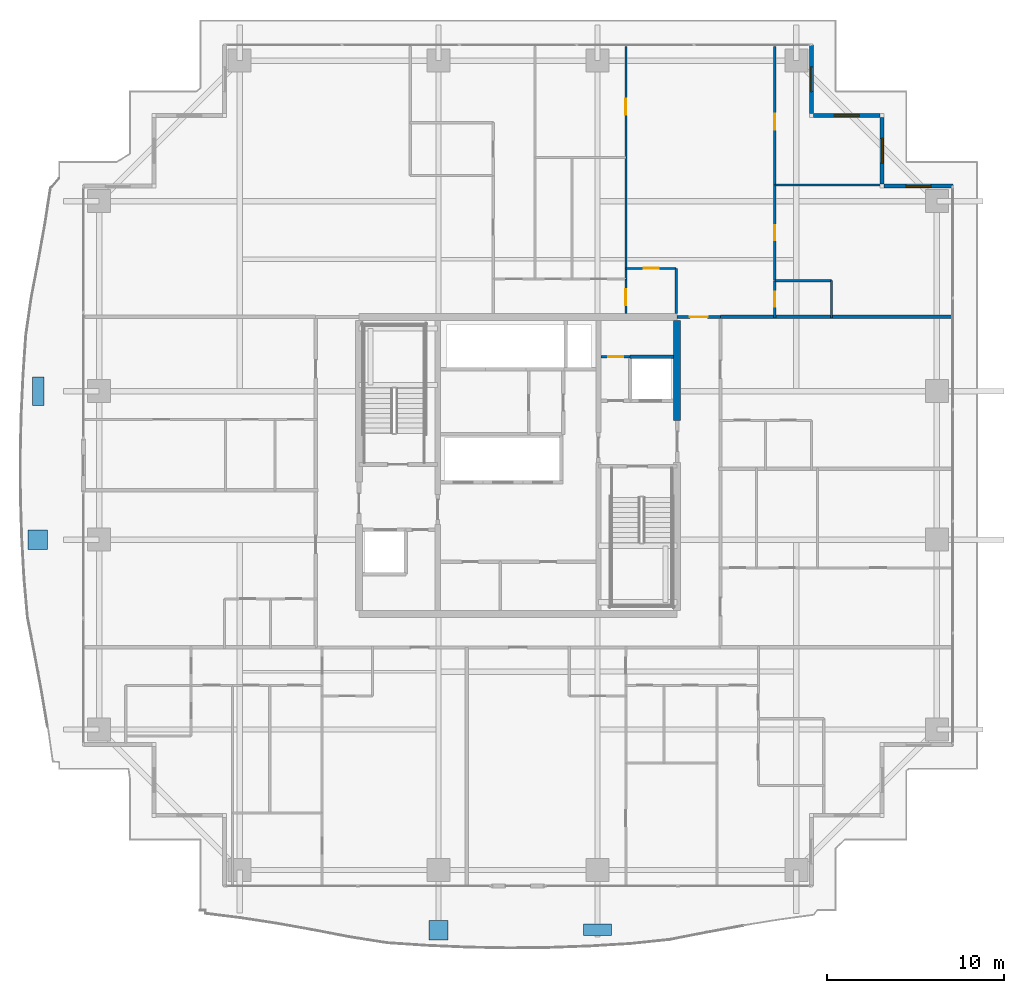
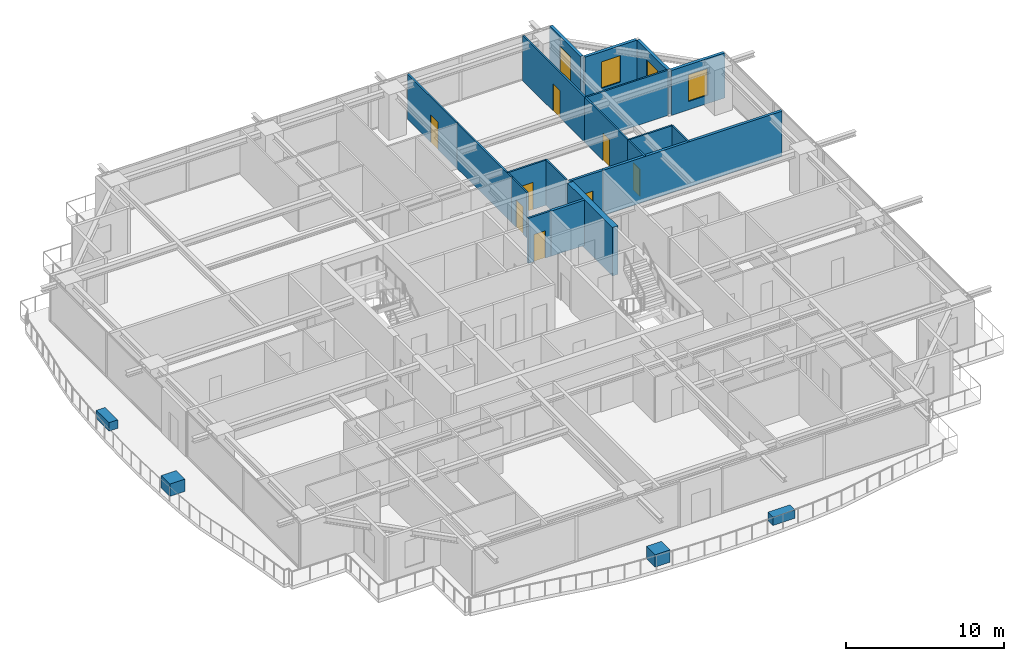
# One storey, part 28 of 34: 20 walls, 8 doors, 4 discrete accessories, 4 windows, 12 openings.
"""IFC4 building model written with IfcOpenShell, lengths in metres."""

from ifc_helpers import new_model, si_unit, direction, frame, frame_2d, origin, origin_2d, place, context, subcontext, project, spatial, rectangle, extrude, source, transform, mapped, material, layer, layer_set, type_object, element, fill, save


model = new_model("IFC4")

# Units and contexts
model_context = context("Model", 3, precision=1e-05, world=origin(), true_north=direction((0.0, 1.0)))
body_context = subcontext(model_context, "Body", "Model", "MODEL_VIEW")
ifc_project = project(units=[si_unit("LENGTHUNIT", "METRE"), si_unit("AREAUNIT", "SQUARE_METRE"), si_unit("VOLUMEUNIT", "CUBIC_METRE"), si_unit("PLANEANGLEUNIT", "RADIAN"), si_unit("MASSUNIT", "GRAM", prefix="KILO")], contexts=[model_context])

# Site, building, storey
site_placement = place(None, origin())
site = spatial("IfcSite", under=ifc_project, at=site_placement, CompositionType="ELEMENT")
building_placement = place(site_placement, origin())
building = spatial("IfcBuilding", under=site, at=building_placement, Name="Serunith Strait Residences", CompositionType="ELEMENT")
storey_placement = place(building_placement, frame((0.0, 0.0, 142.64990234375)))
storey = spatial("IfcBuildingStorey", under=building, at=storey_placement, Name="L35", CompositionType="ELEMENT", Elevation=142.64990234375)

# Wall, opening, window
ifc_material_1 = material(Name="Pale-Champagne Aluminium Insulated Panel", Category="aluminium")
ifc_layer_1 = layer(ifc_material_1, 0.219970703125, Name="Pale-Champagne Aluminium Insulated Panel")
ifc_layer_set_1 = layer_set([ifc_layer_1], Name="Pale-Champagne Aluminium Insulated Panel")
wall_type_1 = type_object("IfcWallType", Name="EW-ALUM-220", PredefinedType="ELEMENTEDWALL", material=ifc_layer_set_1)
wall_1_placement = place(storey_placement, frame((57.0, 41.0, 0.0), z_axis=(0.0, 0.0, 1.0), x_axis=(-1.0, 0.0, 0.0)))
wall_1 = element("IfcWall", 1, at=wall_1_placement, inside=storey, type_object=wall_type_1, Name="L35 Girih Serrated Corner Wall 07", PredefinedType="ELEMENTEDWALL", context=body_context, shape_type="SweptSolid", body=[
    extrude(rectangle(XDim=3.889892578125, YDim=0.219970703125, at=frame_2d((1.94482421875, 0.0))), origin(), (0.0, 0.0, 1.0), 3.47509765625),
])
opening_1_placement = place(wall_1_placement, frame((1.2451171875, 0.0, 0.64990234375)))
opening_1 = element("IfcOpeningElement", 2, at=opening_1_placement, cuts=wall_1, Name="Opening W-03", PredefinedType="OPENING", context=body_context, shape_type="SweptSolid", body=[
    extrude(rectangle(XDim=1.39990234375, YDim=2.050048828125, at=frame_2d((0.699951171875, 1.02490234375))), frame((0.0, 0.1201171875, 0.0), z_axis=(0.0, -1.0, 0.0), x_axis=(1.0, 0.0, 0.0)), (0.0, 0.0, 1.0), 0.239990234375),
])
ifc_material_2 = material(Name="Ceramic-Fritted Operable Aluminium Window Glass", Category="aluminium")
window_type = type_object("IfcWindowType", Name="WIN-C3", PartitioningType="SINGLE_PANEL", PredefinedType="WINDOW", material=ifc_material_2)
shared_shape_1 = source(origin(), body_context, "Body", "SweptSolid", [
    extrude(rectangle(XDim=1.39990234375, YDim=2.050048828125, at=frame_2d((0.699951171875, 1.02490234375))), frame((0.0, 0.030029296875, 0.0), z_axis=(0.0, -1.0, 0.0), x_axis=(1.0, 0.0, 0.0)), (0.0, 0.0, 1.0), 0.06005859375),
])
window_1_placement = place(opening_1_placement, origin())
window_1 = element("IfcWindow", 3, at=window_1_placement, inside=storey, type_object=window_type, Name="L35 Corner Operable Fritted Window 07", OverallHeight=2.050048828125, OverallWidth=1.39990234375, PartitioningType="SINGLE_PANEL", PredefinedType="WINDOW", context=body_context, shape_type="MappedRepresentation", body=[
    mapped(shared_shape_1, transform((0.0, 0.0, 0.0), scale=1.0)),
])
fill(opening_1, window_1)

wall_2_placement = place(storey_placement, frame((53.0, 41.110107421875, 0.0), z_axis=(0.0, 0.0, 1.0), x_axis=(0.0, 1.0, 0.0)))
wall_2 = element("IfcWall", 4, at=wall_2_placement, inside=storey, type_object=wall_type_1, Name="L35 Girih Serrated Corner Wall 08", PredefinedType="ELEMENTEDWALL", context=body_context, shape_type="SweptSolid", body=[
    extrude(rectangle(XDim=3.77978515625, YDim=0.219970703125, at=frame_2d((1.889892578125, 0.0))), origin(), (0.0, 0.0, 1.0), 3.47509765625),
])
opening_2_placement = place(wall_2_placement, frame((1.18994140625, 0.0, 0.64990234375)))
opening_2 = element("IfcOpeningElement", 5, at=opening_2_placement, cuts=wall_2, Name="Opening W-03", PredefinedType="OPENING", context=body_context, shape_type="SweptSolid", body=[
    extrude(rectangle(XDim=1.39990234375, YDim=2.050048828125, at=frame_2d((0.699951171875, 1.02490234375))), frame((0.0, 0.1201171875, 0.0), z_axis=(0.0, -1.0, 0.0), x_axis=(1.0, 0.0, 0.0)), (0.0, 0.0, 1.0), 0.239990234375),
])
window_2_placement = place(opening_2_placement, origin())
window_2 = element("IfcWindow", 6, at=window_2_placement, inside=storey, type_object=window_type, Name="L35 Corner Operable Fritted Window 08", OverallHeight=2.050048828125, OverallWidth=1.39990234375, PartitioningType="SINGLE_PANEL", PredefinedType="WINDOW", context=body_context, shape_type="MappedRepresentation", body=[
    mapped(shared_shape_1, transform((0.0, 0.0, 0.0), scale=1.0)),
])
fill(opening_2, window_2)

wall_3_placement = place(storey_placement, frame((52.889892578125, 45.0, 0.0), z_axis=(0.0, 0.0, 1.0), x_axis=(-1.0, 0.0, 0.0)))
wall_3 = element("IfcWall", 7, at=wall_3_placement, inside=storey, type_object=wall_type_1, Name="L35 Girih Serrated Corner Wall 09", PredefinedType="ELEMENTEDWALL", context=body_context, shape_type="SweptSolid", body=[
    extrude(rectangle(XDim=3.77978515625, YDim=0.219970703125, at=frame_2d((1.889892578125, 0.0))), origin(), (0.0, 0.0, 1.0), 3.47509765625),
])
opening_3_placement = place(wall_3_placement, frame((1.18994140625, 0.0, 0.64990234375)))
opening_3 = element("IfcOpeningElement", 8, at=opening_3_placement, cuts=wall_3, Name="Opening W-03", PredefinedType="OPENING", context=body_context, shape_type="SweptSolid", body=[
    extrude(rectangle(XDim=1.39990234375, YDim=2.050048828125, at=frame_2d((0.699951171875, 1.02490234375))), frame((0.0, 0.1201171875, 0.0), z_axis=(0.0, -1.0, 0.0), x_axis=(1.0, 0.0, 0.0)), (0.0, 0.0, 1.0), 0.239990234375),
])
window_3_placement = place(opening_3_placement, origin())
window_3 = element("IfcWindow", 9, at=window_3_placement, inside=storey, type_object=window_type, Name="L35 Corner Operable Fritted Window 09", OverallHeight=2.050048828125, OverallWidth=1.39990234375, PartitioningType="SINGLE_PANEL", PredefinedType="WINDOW", context=body_context, shape_type="MappedRepresentation", body=[
    mapped(shared_shape_1, transform((0.0, 0.0, 0.0), scale=1.0)),
])
fill(opening_3, window_3)

wall_4_placement = place(storey_placement, frame((49.0, 45.110107421875, 0.0), z_axis=(0.0, 0.0, 1.0), x_axis=(0.0, 1.0, 0.0)))
wall_4 = element("IfcWall", 10, at=wall_4_placement, inside=storey, type_object=wall_type_1, Name="L35 Girih Serrated Corner Wall 10", PredefinedType="ELEMENTEDWALL", context=body_context, shape_type="SweptSolid", body=[
    extrude(rectangle(XDim=3.889892578125, YDim=0.219970703125, at=frame_2d((1.94482421875, 0.0))), origin(), (0.0, 0.0, 1.0), 3.47509765625),
])
opening_4_placement = place(wall_4_placement, frame((1.2451171875, 0.0, 0.64990234375)))
opening_4 = element("IfcOpeningElement", 11, at=opening_4_placement, cuts=wall_4, Name="Opening W-03", PredefinedType="OPENING", context=body_context, shape_type="SweptSolid", body=[
    extrude(rectangle(XDim=1.39990234375, YDim=2.050048828125, at=frame_2d((0.699951171875, 1.02490234375))), frame((0.0, 0.1201171875, 0.0), z_axis=(0.0, -1.0, 0.0), x_axis=(1.0, 0.0, 0.0)), (0.0, 0.0, 1.0), 0.239990234375),
])
window_4_placement = place(opening_4_placement, origin())
window_4 = element("IfcWindow", 12, at=window_4_placement, inside=storey, type_object=window_type, Name="L35 Corner Operable Fritted Window 10", OverallHeight=2.050048828125, OverallWidth=1.39990234375, PartitioningType="SINGLE_PANEL", PredefinedType="WINDOW", context=body_context, shape_type="MappedRepresentation", body=[
    mapped(shared_shape_1, transform((0.0, 0.0, 0.0), scale=1.0)),
])
fill(opening_4, window_4)

# Wall, opening, door
ifc_material_3 = material(Name="Fire-rated masonry service closet wall", Category="masonry")
ifc_layer_2 = layer(ifc_material_3, 0.14990234375, Name="Fire-rated masonry service closet wall")
ifc_layer_set_2 = layer_set([ifc_layer_2], Name="Fire-rated masonry service closet wall")
wall_type_2 = type_object("IfcWallType", Name="IW-BOH-150", PredefinedType="PARTITIONING", material=ifc_layer_set_2)
wall_5_placement = place(storey_placement, frame((37.10009765625, 31.35009765625, 0.0), z_axis=(0.0, 0.0, 1.0), x_axis=(1.0, 0.0, 0.0)))
wall_5 = element("IfcWall", 13, at=wall_5_placement, inside=storey, type_object=wall_type_2, Name="L35 Partition Wall 012", PredefinedType="PARTITIONING", context=body_context, shape_type="SweptSolid", body=[
    extrude(rectangle(XDim=1.64794921875, YDim=0.14990234375, at=frame_2d((0.823974609375, 0.0))), origin(), (0.0, 0.0, 1.0), 3.489990234375),
])
opening_5_placement = place(wall_5_placement, frame((0.39892578125, 0.0, 0.0)))
opening_5 = element("IfcOpeningElement", 14, at=opening_5_placement, cuts=wall_5, Name="Opening FD-850", PredefinedType="OPENING", context=body_context, shape_type="SweptSolid", body=[
    extrude(rectangle(XDim=0.85009765625, YDim=2.10009765625, at=frame_2d((0.425048828125, 1.050048828125))), frame((0.0, 0.0849609375, 0.0), z_axis=(0.0, -1.0, 0.0), x_axis=(1.0, 0.0, 0.0)), (0.0, 0.0, 1.0), 0.169921875),
])
ifc_material_4 = material(Name="Powder-coated steel service closet door", Category="steel")
door_type_1 = type_object("IfcDoorType", Name="FD-BOH-850", OperationType="NOTDEFINED", PredefinedType="DOOR", material=ifc_material_4)
shared_shape_2 = source(origin(), body_context, "Body", "SweptSolid", [
    extrude(rectangle(XDim=0.85009765625, YDim=2.10009765625, at=frame_2d((0.425048828125, 1.050048828125))), frame((0.0, 0.02490234375, 0.0), z_axis=(0.0, -1.0, 0.0), x_axis=(1.0, 0.0, 0.0)), (0.0, 0.0, 1.0), 0.050048828125),
])
door_1_placement = place(opening_5_placement, origin())
door_1 = element("IfcDoor", 15, at=door_1_placement, inside=storey, type_object=door_type_1, Name="L35 Spare Parts Store Door", OperationType="SINGLE_SWING_LEFT", OverallHeight=2.10009765625, OverallWidth=0.85009765625, PredefinedType="DOOR", context=body_context, shape_type="MappedRepresentation", body=[
    mapped(shared_shape_2, transform((0.0, 0.0, 0.0), scale=1.0)),
])
fill(opening_5, door_1)

ifc_material_5 = material(Name="Fire-rated acoustic gypsum partition")
ifc_layer_3 = layer(ifc_material_5, 0.179931640625, Name="Fire-rated acoustic gypsum partition")
ifc_layer_set_3 = layer_set([ifc_layer_3], Name="Fire-rated acoustic gypsum partition")
wall_type_3 = type_object("IfcWallType", Name="IW-CORR-180", PredefinedType="PARTITIONING", material=ifc_layer_set_3)
wall_6_placement = place(storey_placement, frame((41.402099609375, 33.60009765625, 0.0), z_axis=(0.0, 0.0, 1.0), x_axis=(1.0, 0.0, 0.0)))
wall_6 = element("IfcWall", 16, at=wall_6_placement, inside=storey, type_object=wall_type_3, Name="L35 Partition Wall 029", PredefinedType="PARTITIONING", context=body_context, shape_type="SweptSolid", body=[
    extrude(rectangle(XDim=2.44580078125, YDim=0.179931640625, at=frame_2d((1.222900390625, 0.0))), origin(), (0.0, 0.0, 1.0), 3.489990234375),
])
opening_6_placement = place(wall_6_placement, frame((0.722900390625, 0.0, 0.0)))
opening_6 = element("IfcOpeningElement", 17, at=opening_6_placement, cuts=wall_6, Name="Opening D-APT1000", PredefinedType="OPENING", context=body_context, shape_type="SweptSolid", body=[
    extrude(rectangle(XDim=1.0, YDim=2.14990234375, at=frame_2d((0.5, 1.074951171875))), frame((0.0, 0.10009765625, 0.0), z_axis=(0.0, -1.0, 0.0), x_axis=(1.0, 0.0, 0.0)), (0.0, 0.0, 1.0), 0.199951171875),
])
ifc_material_6 = material(Name="Solid timber engineered fire door", Category="wood")
door_type_2 = type_object("IfcDoorType", Name="ID-APT-1000", OperationType="NOTDEFINED", PredefinedType="DOOR", material=ifc_material_6)
shared_shape_3 = source(origin(), body_context, "Body", "SweptSolid", [
    extrude(rectangle(XDim=1.0, YDim=2.14990234375, at=frame_2d((0.5, 1.074951171875))), frame((0.0, 0.02490234375, 0.0), z_axis=(0.0, -1.0, 0.0), x_axis=(1.0, 0.0, 0.0)), (0.0, 0.0, 1.0), 0.050048828125),
])
door_2_placement = place(opening_6_placement, origin())
door_2 = element("IfcDoor", 18, at=door_2_placement, inside=storey, type_object=door_type_2, Name="L35 Unit 03 Entrance Door", OperationType="SINGLE_SWING_RIGHT", OverallHeight=2.14990234375, OverallWidth=1.0, PredefinedType="DOOR", context=body_context, shape_type="MappedRepresentation", body=[
    mapped(shared_shape_3, transform((0.0, 0.0, 0.0), scale=1.0)),
])
fill(opening_6, door_2)

ifc_material_7 = material(Name="Lightweight steel-stud gypsum partition", Category="steel")
ifc_layer_4 = layer(ifc_material_7, 0.1201171875, Name="Lightweight steel-stud gypsum partition")
ifc_layer_set_4 = layer_set([ifc_layer_4], Name="Lightweight steel-stud gypsum partition")
wall_type_4 = type_object("IfcWallType", Name="IW-PART-120", PredefinedType="PARTITIONING", material=ifc_layer_set_4)
wall_7_placement = place(storey_placement, frame((38.5, 36.35009765625, 0.0), z_axis=(0.0, 0.0, 1.0), x_axis=(1.0, 0.0, 0.0)))
wall_7 = element("IfcWall", 19, at=wall_7_placement, inside=storey, type_object=wall_type_4, Name="L35 Partition Wall 063", PredefinedType="PARTITIONING", context=body_context, shape_type="SweptSolid", body=[
    extrude(rectangle(XDim=2.85009765625, YDim=0.1201171875, at=frame_2d((1.425048828125, 0.0))), origin(), (0.0, 0.0, 1.0), 3.489990234375),
])
opening_7_placement = place(wall_7_placement, frame((1.0, 0.0, 0.0)))
opening_7 = element("IfcOpeningElement", 20, at=opening_7_placement, cuts=wall_7, Name="Opening D-RM850", PredefinedType="OPENING", context=body_context, shape_type="SweptSolid", body=[
    extrude(rectangle(XDim=0.85009765625, YDim=2.10009765625, at=frame_2d((0.425048828125, 1.050048828125))), frame((0.0, 0.070068359375, 0.0), z_axis=(0.0, -1.0, 0.0), x_axis=(1.0, 0.0, 0.0)), (0.0, 0.0, 1.0), 0.14013671875),
])
ifc_material_8 = material(Name="Engineered timber flush study and kitchen door", Category="wood")
door_type_3 = type_object("IfcDoorType", Name="ID-ROOM-850", OperationType="NOTDEFINED", PredefinedType="DOOR", material=ifc_material_8)
door_3_placement = place(opening_7_placement, origin())
door_3 = element("IfcDoor", 21, at=door_3_placement, inside=storey, type_object=door_type_3, Name="L35 Kitchen 3503 Door", OperationType="SINGLE_SWING_LEFT", OverallHeight=2.10009765625, OverallWidth=0.85009765625, PredefinedType="DOOR", context=body_context, shape_type="MappedRepresentation", body=[
    mapped(shared_shape_2, transform((0.0, 0.0, 0.0), scale=1.0)),
])
fill(opening_7, door_3)

# Wall
wall_8_placement = place(storey_placement, frame((41.35009765625, 36.35009765625, 0.0), z_axis=(0.0, 0.0, 1.0), x_axis=(0.0, -1.0, 0.0)))
element("IfcWall", 22, at=wall_8_placement, inside=storey, type_object=wall_type_4, Name="L35 Partition Wall 064", PredefinedType="PARTITIONING", context=body_context, shape_type="SweptSolid", body=[
    extrude(rectangle(XDim=2.550048828125, YDim=0.1201171875, at=frame_2d((1.27490234375, 0.0))), origin(), (0.0, 0.0, 1.0), 3.489990234375),
])

# Wall, opening, door
wall_9_placement = place(storey_placement, frame((38.5, 35.75, 0.0), z_axis=(0.0, 0.0, 1.0), x_axis=(0.0, -1.0, 0.0)))
wall_9 = element("IfcWall", 23, at=wall_9_placement, inside=storey, type_object=wall_type_4, Name="L35 Partition Wall 065", PredefinedType="PARTITIONING", context=body_context, shape_type="SweptSolid", body=[
    extrude(rectangle(XDim=1.949951171875, YDim=0.1201171875, at=frame_2d((0.97509765625, 0.0))), origin(), (0.0, 0.0, 1.0), 3.489990234375),
])
opening_8_placement = place(wall_9_placement, frame((0.594970703125, 0.0, 0.0)))
opening_8 = element("IfcOpeningElement", 24, at=opening_8_placement, cuts=wall_9, Name="Opening D-RM900", PredefinedType="OPENING", context=body_context, shape_type="SweptSolid", body=[
    extrude(rectangle(XDim=0.89990234375, YDim=2.10009765625, at=frame_2d((0.449951171875, 1.050048828125))), frame((0.0, 0.070068359375, 0.0), z_axis=(0.0, -1.0, 0.0), x_axis=(1.0, 0.0, 0.0)), (0.0, 0.0, 1.0), 0.14013671875),
])
ifc_material_9 = material(Name="Engineered timber flush bedroom door", Category="wood")
door_type_4 = type_object("IfcDoorType", Name="ID-ROOM-900", OperationType="NOTDEFINED", PredefinedType="DOOR", material=ifc_material_9)
shared_shape_4 = source(origin(), body_context, "Body", "SweptSolid", [
    extrude(rectangle(XDim=0.89990234375, YDim=2.10009765625, at=frame_2d((0.449951171875, 1.050048828125))), frame((0.0, 0.02490234375, 0.0), z_axis=(0.0, -1.0, 0.0), x_axis=(1.0, 0.0, 0.0)), (0.0, 0.0, 1.0), 0.050048828125),
])
door_4_placement = place(opening_8_placement, origin())
door_4 = element("IfcDoor", 25, at=door_4_placement, inside=storey, type_object=door_type_4, Name="L35 Hall W 3503 Door", OperationType="SINGLE_SWING_RIGHT", OverallHeight=2.10009765625, OverallWidth=0.89990234375, PredefinedType="DOOR", context=body_context, shape_type="MappedRepresentation", body=[
    mapped(shared_shape_4, transform((0.0, 0.0, 0.0), scale=1.0)),
])
fill(opening_8, door_4)

wall_10_placement = place(storey_placement, frame((38.5, 48.905029296875, 0.0), z_axis=(0.0, 0.0, 1.0), x_axis=(0.0, -1.0, 0.0)))
wall_10 = element("IfcWall", 26, at=wall_10_placement, inside=storey, type_object=wall_type_4, Name="L35 Partition Wall 066", PredefinedType="PARTITIONING", context=body_context, shape_type="SweptSolid", body=[
    extrude(rectangle(XDim=6.27392578125, YDim=0.1201171875, at=frame_2d((3.136962890625, 0.0))), origin(), (0.0, 0.0, 1.0), 3.489990234375),
])
opening_9_placement = place(wall_10_placement, frame((2.9560546875, 0.0, 0.0)))
opening_9 = element("IfcOpeningElement", 27, at=opening_9_placement, cuts=wall_10, Name="Opening D-RM900", PredefinedType="OPENING", context=body_context, shape_type="SweptSolid", body=[
    extrude(rectangle(XDim=0.89990234375, YDim=2.10009765625, at=frame_2d((0.449951171875, 1.050048828125))), frame((0.0, 0.070068359375, 0.0), z_axis=(0.0, -1.0, 0.0), x_axis=(1.0, 0.0, 0.0)), (0.0, 0.0, 1.0), 0.14013671875),
])
door_5_placement = place(opening_9_placement, origin())
door_5 = element("IfcDoor", 28, at=door_5_placement, inside=storey, type_object=door_type_4, Name="L35 Formal Dining Room 1 3503 Door", OperationType="SINGLE_SWING_LEFT", OverallHeight=2.10009765625, OverallWidth=0.89990234375, PredefinedType="DOOR", context=body_context, shape_type="MappedRepresentation", body=[
    mapped(shared_shape_4, transform((0.0, 0.0, 0.0), scale=1.0)),
])
fill(opening_9, door_5)

# Wall
wall_11_placement = place(storey_placement, frame((38.5, 42.62890625, 0.0), z_axis=(0.0, 0.0, 1.0), x_axis=(0.0, -1.0, 0.0)))
element("IfcWall", 29, at=wall_11_placement, inside=storey, type_object=wall_type_4, Name="L35 Partition Wall 067", PredefinedType="PARTITIONING", context=body_context, shape_type="SweptSolid", body=[
    extrude(rectangle(XDim=6.876953125, YDim=0.1201171875, at=frame_2d((3.4384765625, 0.0))), origin(), (0.0, 0.0, 1.0), 3.489990234375),
])

# Wall, opening, door
wall_12_placement = place(storey_placement, frame((46.929931640625, 48.905029296875, 0.0), z_axis=(0.0, 0.0, 1.0), x_axis=(0.0, -1.0, 0.0)))
wall_12 = element("IfcWall", 30, at=wall_12_placement, inside=storey, type_object=wall_type_4, Name="L35 Partition Wall 080", PredefinedType="PARTITIONING", context=body_context, shape_type="SweptSolid", body=[
    extrude(rectangle(XDim=7.830078125, YDim=0.1201171875, at=frame_2d((3.9150390625, 0.0))), origin(), (0.0, 0.0, 1.0), 3.489990234375),
])
opening_10_placement = place(wall_12_placement, frame((3.81103515625, 0.0, 0.0)))
opening_10 = element("IfcOpeningElement", 31, at=opening_10_placement, cuts=wall_12, Name="Opening D-RM900", PredefinedType="OPENING", context=body_context, shape_type="SweptSolid", body=[
    extrude(rectangle(XDim=0.89990234375, YDim=2.10009765625, at=frame_2d((0.449951171875, 1.050048828125))), frame((0.0, 0.070068359375, 0.0), z_axis=(0.0, -1.0, 0.0), x_axis=(1.0, 0.0, 0.0)), (0.0, 0.0, 1.0), 0.14013671875),
])
door_6_placement = place(opening_10_placement, origin())
door_6 = element("IfcDoor", 32, at=door_6_placement, inside=storey, type_object=door_type_4, Name="L35 Bedroom 3 3503 Door", OperationType="SINGLE_SWING_LEFT", OverallHeight=2.10009765625, OverallWidth=0.89990234375, PredefinedType="DOOR", context=body_context, shape_type="MappedRepresentation", body=[
    mapped(shared_shape_4, transform((0.0, 0.0, 0.0), scale=1.0)),
])
fill(opening_10, door_6)

# Walls
wall_13_placement = place(storey_placement, frame((46.929931640625, 41.074951171875, 0.0), z_axis=(0.0, 0.0, 1.0), x_axis=(1.0, 0.0, 0.0)))
element("IfcWall", 33, at=wall_13_placement, inside=storey, type_object=wall_type_4, Name="L35 Partition Wall 081", PredefinedType="PARTITIONING", context=body_context, shape_type="SweptSolid", body=[
    extrude(rectangle(XDim=5.97509765625, YDim=0.1201171875, at=frame_2d((2.987548828125, 0.0))), origin(), (0.0, 0.0, 1.0), 3.489990234375),
])
wall_14_placement = place(storey_placement, frame((46.929931640625, 35.64990234375, 0.0), z_axis=(0.0, 0.0, 1.0), x_axis=(1.0, 0.0, 0.0)))
element("IfcWall", 34, at=wall_14_placement, inside=storey, type_object=wall_type_4, Name="L35 Partition Wall 082", PredefinedType="PARTITIONING", context=body_context, shape_type="SweptSolid", body=[
    extrude(rectangle(XDim=3.199951171875, YDim=0.1201171875, at=frame_2d((1.60009765625, 0.0))), origin(), (0.0, 0.0, 1.0), 3.489990234375),
])
wall_15_placement = place(storey_placement, frame((50.1298828125, 35.64990234375, 0.0), z_axis=(0.0, 0.0, 1.0), x_axis=(0.0, -1.0, 0.0)))
element("IfcWall", 35, at=wall_15_placement, inside=storey, type_object=wall_type_4, Name="L35 Partition Wall 083", PredefinedType="PARTITIONING", context=body_context, shape_type="SweptSolid", body=[
    extrude(rectangle(XDim=2.10986328125, YDim=0.1201171875, at=frame_2d((1.054931640625, 0.0))), origin(), (0.0, 0.0, 1.0), 3.489990234375),
])

# Wall, opening, door
wall_16_placement = place(storey_placement, frame((46.929931640625, 41.072998046875, 0.0), z_axis=(0.0, 0.0, 1.0), x_axis=(0.0, -1.0, 0.0)))
wall_16 = element("IfcWall", 36, at=wall_16_placement, inside=storey, type_object=wall_type_4, Name="L35 Partition Wall 084", PredefinedType="PARTITIONING", context=body_context, shape_type="SweptSolid", body=[
    extrude(rectangle(XDim=5.423095703125, YDim=0.1201171875, at=frame_2d((2.71142578125, 0.0))), origin(), (0.0, 0.0, 1.0), 3.489990234375),
])
opening_11_placement = place(wall_16_placement, frame((2.287109375, 0.0, 0.0)))
opening_11 = element("IfcOpeningElement", 37, at=opening_11_placement, cuts=wall_16, Name="Opening D-RM850", PredefinedType="OPENING", context=body_context, shape_type="SweptSolid", body=[
    extrude(rectangle(XDim=0.85009765625, YDim=2.10009765625, at=frame_2d((0.425048828125, 1.050048828125))), frame((0.0, 0.070068359375, 0.0), z_axis=(0.0, -1.0, 0.0), x_axis=(1.0, 0.0, 0.0)), (0.0, 0.0, 1.0), 0.14013671875),
])
door_7_placement = place(opening_11_placement, origin())
door_7 = element("IfcDoor", 38, at=door_7_placement, inside=storey, type_object=door_type_3, Name="L35 Walk-in Wardrobe 3503 Door", OperationType="SINGLE_SWING_RIGHT", OverallHeight=2.10009765625, OverallWidth=0.85009765625, PredefinedType="DOOR", context=body_context, shape_type="MappedRepresentation", body=[
    mapped(shared_shape_2, transform((0.0, 0.0, 0.0), scale=1.0)),
])
fill(opening_11, door_7)

wall_17_placement = place(storey_placement, frame((46.929931640625, 35.64794921875, 0.0), z_axis=(0.0, 0.0, 1.0), x_axis=(0.0, -1.0, 0.0)))
wall_17 = element("IfcWall", 39, at=wall_17_placement, inside=storey, type_object=wall_type_4, Name="L35 Partition Wall 085", PredefinedType="PARTITIONING", context=body_context, shape_type="SweptSolid", body=[
    extrude(rectangle(XDim=2.10791015625, YDim=0.1201171875, at=frame_2d((1.053955078125, 0.0))), origin(), (0.0, 0.0, 1.0), 3.489990234375),
])
opening_12_placement = place(wall_17_placement, frame((0.62890625, 0.0, 0.0)))
opening_12 = element("IfcOpeningElement", 40, at=opening_12_placement, cuts=wall_17, Name="Opening D-BTH850", PredefinedType="OPENING", context=body_context, shape_type="SweptSolid", body=[
    extrude(rectangle(XDim=0.85009765625, YDim=2.10009765625, at=frame_2d((0.425048828125, 1.050048828125))), frame((0.0, 0.070068359375, 0.0), z_axis=(0.0, -1.0, 0.0), x_axis=(1.0, 0.0, 0.0)), (0.0, 0.0, 1.0), 0.14013671875),
])
ifc_material_10 = material(Name="Moisture-resistant timber bathroom door", Category="wood")
door_type_5 = type_object("IfcDoorType", Name="ID-BATH-850", OperationType="NOTDEFINED", PredefinedType="DOOR", material=ifc_material_10)
door_8_placement = place(opening_12_placement, origin())
door_8 = element("IfcDoor", 41, at=door_8_placement, inside=storey, type_object=door_type_5, Name="L35 Bathroom 3503 Door", OperationType="SINGLE_SWING_LEFT", OverallHeight=2.10009765625, OverallWidth=0.85009765625, PredefinedType="DOOR", context=body_context, shape_type="MappedRepresentation", body=[
    mapped(shared_shape_2, transform((0.0, 0.0, 0.0), scale=1.0)),
])
fill(opening_12, door_8)

# Walls
ifc_material_11 = material(Name="Twin-stud acoustic gypsum board partition")
ifc_layer_5 = layer(ifc_material_11, 0.199951171875, Name="Twin-stud acoustic gypsum board partition")
ifc_layer_set_5 = layer_set([ifc_layer_5], Name="Twin-stud acoustic gypsum board partition")
wall_type_5 = type_object("IfcWallType", Name="IW-PARTY-200", PredefinedType="PARTITIONING", material=ifc_layer_set_5)
wall_18_placement = place(storey_placement, frame((43.85009765625, 33.60009765625, 0.0), z_axis=(0.0, 0.0, 1.0), x_axis=(1.0, 0.0, 0.0)))
element("IfcWall", 42, at=wall_18_placement, inside=storey, type_object=wall_type_5, Name="L35 Partition Wall 024", PredefinedType="PARTITIONING", context=body_context, shape_type="SweptSolid", body=[
    extrude(rectangle(XDim=13.06787109375, YDim=0.199951171875, at=frame_2d((6.533935546875, 0.0))), origin(), (0.0, 0.0, 1.0), 3.489990234375),
])
ifc_material_12 = material(Name="Autoclaved aerated concrete blockwork", Category="masonry")
ifc_layer_6 = layer(ifc_material_12, 0.199951171875, Name="Autoclaved aerated concrete blockwork")
ifc_layer_set_6 = layer_set([ifc_layer_6], Name="Autoclaved aerated concrete blockwork")
wall_type_6 = type_object("IfcWallType", Name="IW-SHAFT-200", PredefinedType="STANDARD", material=ifc_layer_set_6)
wall_19_placement = place(storey_placement, frame((38.75, 31.35009765625, 0.0), z_axis=(0.0, 0.0, 1.0), x_axis=(1.0, 0.0, 0.0)))
element("IfcWall", 43, at=wall_19_placement, inside=storey, type_object=wall_type_6, Name="L35 Partition Wall 005", PredefinedType="STANDARD", context=body_context, shape_type="SweptSolid", body=[
    extrude(rectangle(XDim=2.449951171875, YDim=0.199951171875, at=frame_2d((1.22509765625, 0.0))), origin(), (0.0, 0.0, 1.0), 3.489990234375),
])
ifc_material_13 = material(Name="Concrete C70/85", Category="concrete")
ifc_layer_7 = layer(ifc_material_13, 0.39990234375, Name="Concrete C70/85")
ifc_layer_set_7 = layer_set([ifc_layer_7], Name="Concrete C70/85")
wall_type_7 = type_object("IfcWallType", Name="SW-400-C70", PredefinedType="SHEAR", material=ifc_layer_set_7)
wall_20_placement = place(storey_placement, frame((41.39990234375, 27.75, -0.260009765625), z_axis=(0.0, 0.0, 1.0), x_axis=(0.0, 1.0, 0.0)))
element("IfcWall", 44, at=wall_20_placement, inside=storey, type_object=wall_type_7, Name="L35 Core East Shear Wall North Pier", PredefinedType="SHEAR", context=body_context, shape_type="SweptSolid", body=[
    extrude(rectangle(XDim=5.64990234375, YDim=0.39990234375, at=frame_2d((2.824951171875, 0.0))), origin(), (0.0, 0.0, 1.0), 3.748046875),
])

# Discrete accessories
ifc_material_14 = material(Name="GFRC Root-Anchored Structural Planter")
discrete_accessory_type_1 = type_object("IfcDiscreteAccessoryType", Name="ACC-PLANTER-TREE", PredefinedType="USERDEFINED", material=ifc_material_14)
shared_shape_5 = source(origin(), body_context, "Body", "SweptSolid", [
    extrude(rectangle(XDim=1.10009765625, YDim=1.10009765625, at=origin_2d()), origin(), (0.0, 0.0, 1.0), 0.949951171875),
])
for number, where, z_axis, x_axis, name in (
    (45, (27.89990234375, -1.09765625, -0.0498046875), (0.0, 0.0, 1.0), (1.0, 0.0, 0.0), "L35 Vertical-Forest Tree Planter 02"),
    (46, (5.230712890625, 21.0, -0.0498046875), (0.0, 0.0, 1.0), (0.0, -1.0, 0.0), "L35 Vertical-Forest Tree Planter 14"),
):
    element("IfcDiscreteAccessory", number, at=place(storey_placement, frame(where, z_axis=z_axis, x_axis=x_axis)), inside=storey, type_object=discrete_accessory_type_1, Name=name, ObjectType="PLANTER", PredefinedType="USERDEFINED", context=body_context, shape_type="MappedRepresentation", body=[
        mapped(shared_shape_5, transform((0.0, 0.0, 0.0), scale=1.0)),
    ])
ifc_material_15 = material(Name="GFRC Irrigated Shrub Trough Planter")
discrete_accessory_type_2 = type_object("IfcDiscreteAccessoryType", Name="ACC-PLANTER-SHRUB", PredefinedType="USERDEFINED", material=ifc_material_15)
shared_shape_6 = source(origin(), body_context, "Body", "SweptSolid", [
    extrude(rectangle(XDim=1.60009765625, YDim=0.64990234375, at=origin_2d()), origin(), (0.0, 0.0, 1.0), 0.64990234375),
])
for number, where, z_axis, x_axis, name in (
    (47, (36.89990234375, -1.077392578125, -0.0498046875), (0.0, 0.0, 1.0), (1.0, 0.0, 0.0), "L35 Vertical-Forest Shrub Planter 03"),
    (48, (5.255859375, 29.39990234375, -0.0498046875), (0.0, 0.0, 1.0), (0.0, -1.0, 0.0), "L35 Vertical-Forest Shrub Planter 15"),
):
    element("IfcDiscreteAccessory", number, at=place(storey_placement, frame(where, z_axis=z_axis, x_axis=x_axis)), inside=storey, type_object=discrete_accessory_type_2, Name=name, ObjectType="PLANTER", PredefinedType="USERDEFINED", context=body_context, shape_type="MappedRepresentation", body=[
        mapped(shared_shape_6, transform((0.0, 0.0, 0.0), scale=1.0)),
    ])

save(model, "model.ifc")
